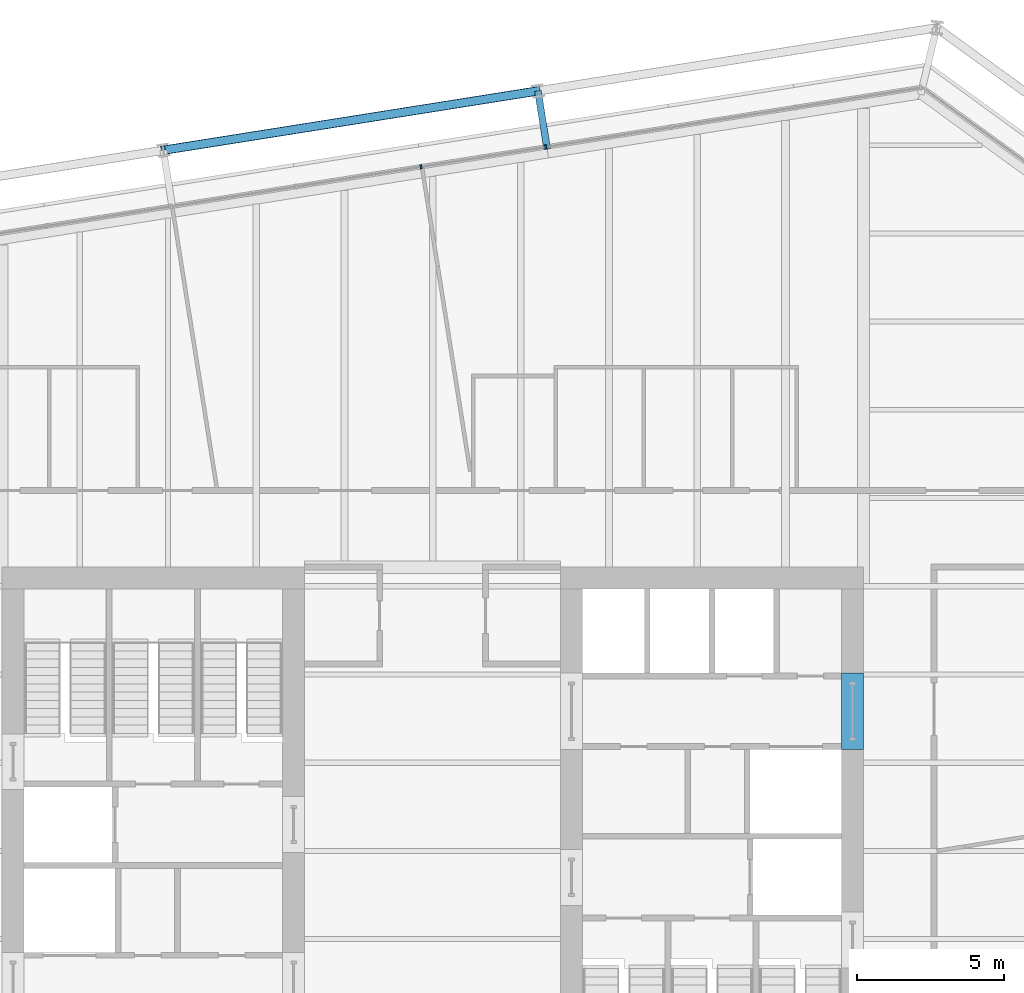
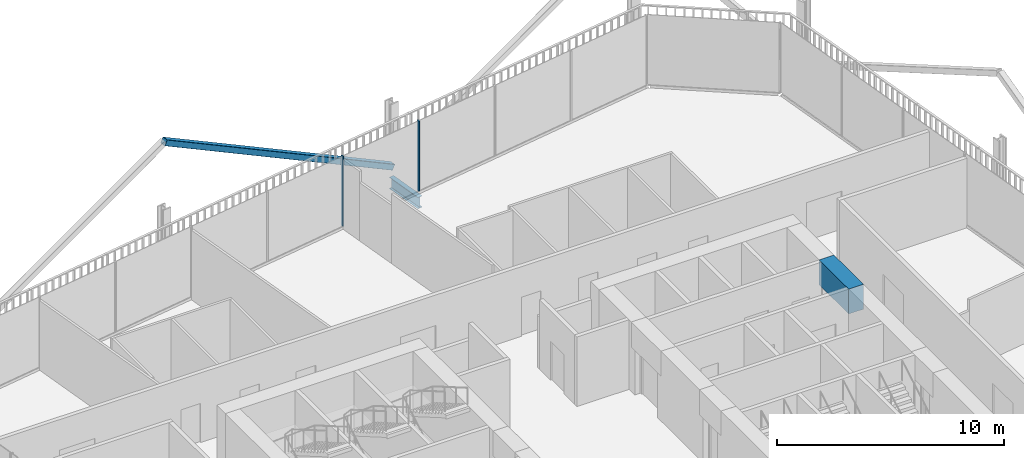
# One storey, part 13 of 22: 3 members, 2 beams, 1 element without a shape of its own.
"""IFC4 building model written with IfcOpenShell, lengths in metres."""

from ifc_helpers import new_model, si_unit, direction, frame, origin, origin_2d, place, context, subcontext, project, spatial, rectangle, hollow_rectangle, i_section, extrude, material, layer, layer_set, material_profile, profile_set, type_object, element, aggregate, save


model = new_model("IFC4")

# Units and contexts
model_context = context("Model", 3, precision=1e-05, world=origin(), true_north=direction((0.0, 1.0)))
body_context = subcontext(model_context, "Body", "Model", "MODEL_VIEW")
ifc_project = project(units=[si_unit("LENGTHUNIT", "METRE"), si_unit("AREAUNIT", "SQUARE_METRE"), si_unit("VOLUMEUNIT", "CUBIC_METRE"), si_unit("PLANEANGLEUNIT", "RADIAN"), si_unit("MASSUNIT", "GRAM", prefix="KILO")], contexts=[model_context])

# Site, building, storey
site_placement = place(None, origin())
site = spatial("IfcSite", under=ifc_project, at=site_placement, CompositionType="ELEMENT")
building_placement = place(site_placement, origin())
building = spatial("IfcBuilding", under=site, at=building_placement, Name="Millrace Tower", CompositionType="ELEMENT")
storey_placement = place(building_placement, frame((0.0, 0.0, 180.0)))
storey = spatial("IfcBuildingStorey", under=building, at=storey_placement, Name="L40", CompositionType="ELEMENT", Elevation=180.0)

# Curtain wall, members
ifc_material_1 = material(Name="Aluminium and glass", Category="aluminium")
ifc_layer = layer(ifc_material_1, 0.14990234375)
ifc_layer_set = layer_set([ifc_layer], Name="Aluminium and glass")
curtain_wall_type = type_object("IfcCurtainWallType", Name="CW-1 office vision curtain wall", PredefinedType="NOTDEFINED", material=ifc_layer_set)
curtain_wall_placement = place(storey_placement, origin())
curtain_wall = element("IfcCurtainWall", 1, at=curtain_wall_placement, inside=storey, type_object=curtain_wall_type, Name="Curtain wall C-F06 L40", PredefinedType="NOTDEFINED")
ifc_material_2 = material(Name="Aluminium", Category="aluminium")
ifc_material_profile_1 = material_profile(ifc_material_2, rectangle(XDim=0.06494140625, YDim=0.14990234375, at=origin_2d()))
ifc_profile_set_1 = profile_set([ifc_material_profile_1], Name="Aluminium")
member_type_1 = type_object("IfcMemberType", Name="CW-1 office vision curtain wall mullion", PredefinedType="MULLION", material=ifc_profile_set_1)
member_1_placement = place(storey_placement, frame((3.8505859375, 23.938720703125, 0.139892578125), z_axis=(0.0, 0.0, 1.0), x_axis=(-0.98768833929, -0.15643447328, 0.0)))
member_1 = element("IfcMember", 2, at=member_1_placement, type_object=member_type_1, Name="CW1 mullion C-F06.4", PredefinedType="MULLION", context=body_context, shape_type="SweptSolid", body=[
    extrude(rectangle(XDim=0.06494140625, YDim=0.14990234375, at=origin_2d()), origin(), (0.0, 0.0, 1.0), 3.760009765625),
])
member_2_placement = place(storey_placement, frame((-0.396484375, 23.26611328125, 0.139892578125), z_axis=(0.0, 0.0, 1.0), x_axis=(-0.98768833929, -0.15643447328, 0.0)))
member_2 = element("IfcMember", 3, at=member_2_placement, type_object=member_type_1, Name="CW1 mullion C-F06.5", PredefinedType="MULLION", context=body_context, shape_type="SweptSolid", body=[
    extrude(rectangle(XDim=0.06494140625, YDim=0.14990234375, at=origin_2d()), origin(), (0.0, 0.0, 1.0), 3.760009765625),
])
aggregate(curtain_wall, [member_1, member_2])

# Beam
ifc_material_3 = material(Name="Concrete C70", Category="concrete")
ifc_material_profile_2 = material_profile(ifc_material_3, rectangle(XDim=0.75, YDim=1.340087890625, at=origin_2d()))
ifc_profile_set_2 = profile_set([ifc_material_profile_2], Name="Concrete C70")
beam_type_1 = type_object("IfcBeamType", Name="Coupling beam 750 x 1340 Concrete C70, 2000 opening", PredefinedType="BEAM", material=ifc_profile_set_2)
beam_1_placement = place(storey_placement, frame((14.27490234375, 6.050048828125, 3.070068359375), z_axis=(0.0, -1.0, 0.0), x_axis=(1.0, 0.0, 0.0)))
element("IfcBeam", 4, at=beam_1_placement, inside=storey, type_object=beam_type_1, Name="Coupling beam E L40", PredefinedType="BEAM", context=body_context, shape_type="SweptSolid", body=[
    extrude(rectangle(XDim=0.75, YDim=1.340087890625, at=origin_2d()), origin(), (0.0, 0.0, 1.0), 2.60009765625),
])

# Member
ifc_material_4 = material(Name="Steel ASTM A500 Grade C", Category="steel")
ifc_material_profile_3 = material_profile(ifc_material_4, hollow_rectangle(XDim=0.3046875, YDim=0.3046875, WallThickness=0.0126953125, InnerFilletRadius=0.00634765625, OuterFilletRadius=0.01904296875, at=origin_2d()))
ifc_profile_set_3 = profile_set([ifc_material_profile_3], Name="Steel ASTM A500 Grade C")
member_type_2 = type_object("IfcMemberType", Name="Exoskeleton brace HSS12x12x1/2", PredefinedType="BRACE", material=ifc_profile_set_3)
member_3_placement = place(storey_placement, frame((3.58154296875, 25.844970703125, 0.39990234375), z_axis=(-0.868115902798, -0.137483289964, 0.476941426478), x_axis=(0.15642030113, -0.987690583834, 0.0)))
element("IfcMember", 5, at=member_3_placement, inside=storey, type_object=member_type_2, Name="BRC-C-L40-11", PredefinedType="BRACE", context=body_context, shape_type="SweptSolid", body=[
    extrude(hollow_rectangle(XDim=0.3046875, YDim=0.3046875, WallThickness=0.0126953125, InnerFilletRadius=0.00634765625, OuterFilletRadius=0.01904296875, at=origin_2d()), origin(), (0.0, 0.0, 1.0), 14.6767578125),
])

# Beam
ifc_material_5 = material(Name="Steel ASTM A992 Grade 50", Category="steel")
ifc_material_profile_4 = material_profile(ifc_material_5, i_section(OverallWidth=0.23046875, OverallDepth=0.6171875, WebThickness=0.01318359375, FlangeThickness=0.022216796875, FilletRadius=0.012939453125, at=origin_2d()))
ifc_profile_set_4 = profile_set([ifc_material_profile_4], Name="Steel ASTM A992 Grade 50")
beam_type_2 = type_object("IfcBeamType", Name="Link beam W24x94", PredefinedType="BEAM", material=ifc_profile_set_4)
beam_2_placement = place(storey_placement, frame((3.894287109375, 23.86962890625, -0.468505859375), z_axis=(-0.15637629034, 0.987697552806, 0.0), x_axis=(-0.987697552806, -0.15637629034, 0.0)))
element("IfcBeam", 6, at=beam_2_placement, inside=storey, type_object=beam_type_2, Name="LNK-C-L40-S1-07", PredefinedType="BEAM", context=body_context, shape_type="SweptSolid", body=[
    extrude(i_section(OverallWidth=0.23046875, OverallDepth=0.6171875, WebThickness=0.01318359375, FlangeThickness=0.022216796875, FilletRadius=0.012939453125, at=origin_2d()), origin(), (0.0, 0.0, 1.0), 2.0),
])

save(model, "model.ifc")
